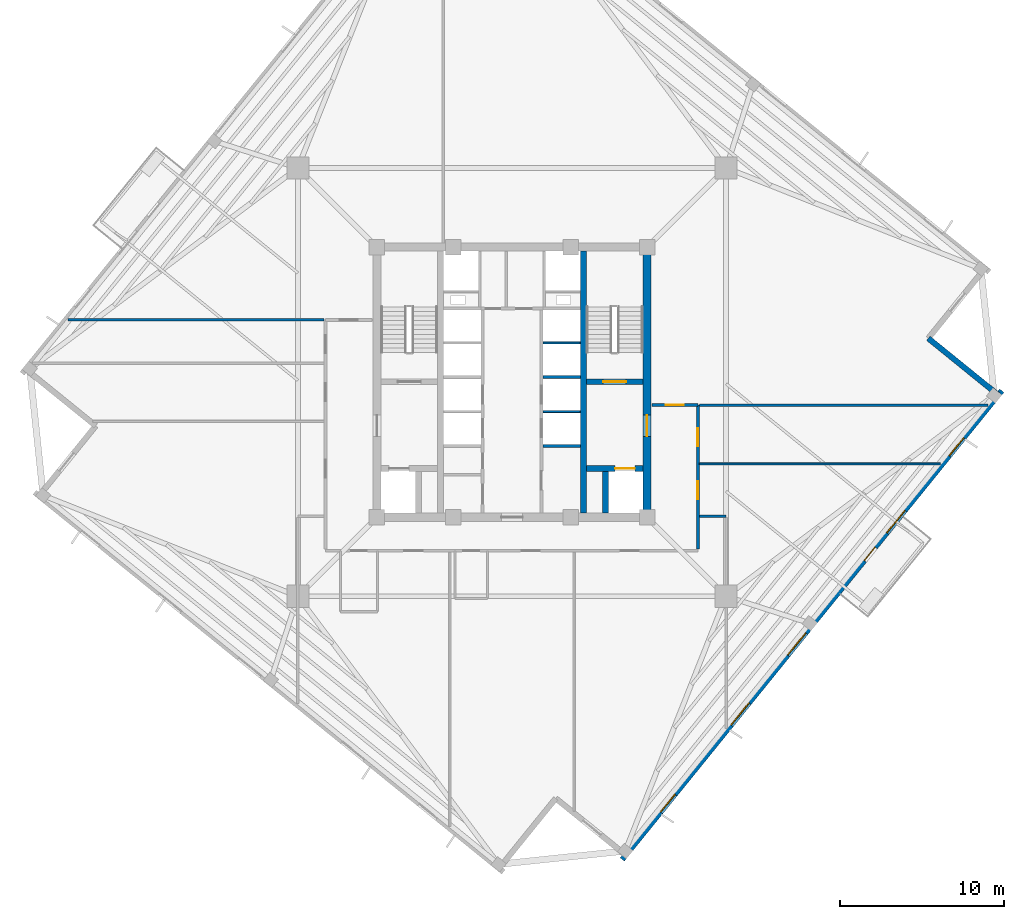
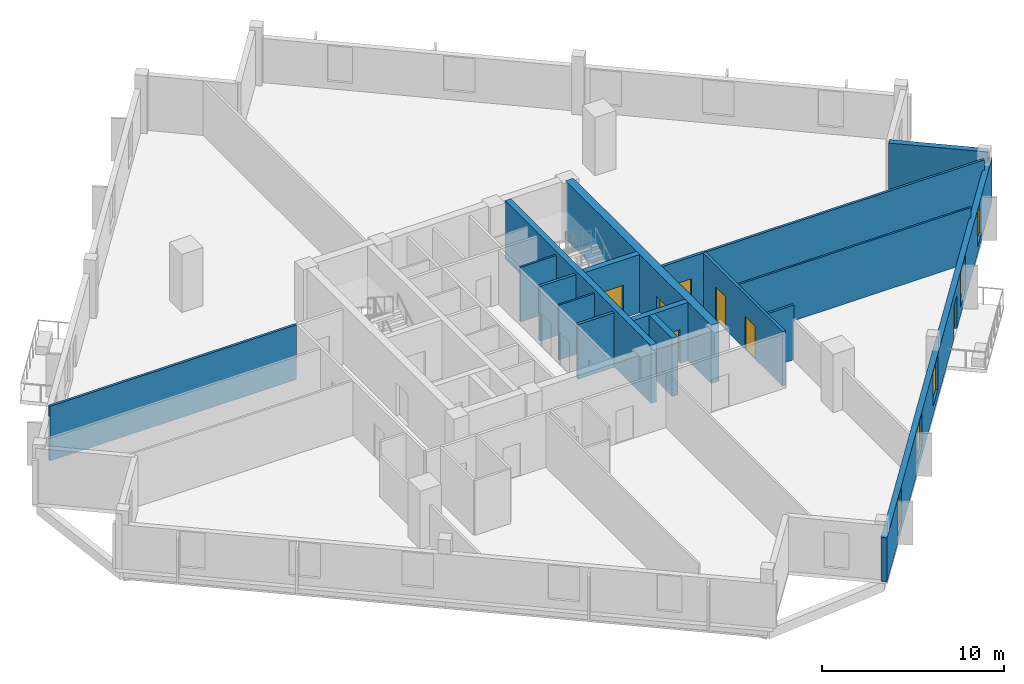
# One storey, part 4 of 9: 17 walls, 7 doors, 5 windows, 12 openings.
"""IFC4 building model written with IfcOpenShell, lengths in metres."""

from ifc_helpers import new_model, si_unit, direction, frame, frame_2d, origin, place, context, subcontext, project, spatial, rectangle, extrude, source, transform, mapped, material, layer, layer_set, type_object, element, fill, save


model = new_model("IFC4")

# Units and contexts
model_context = context("Model", 3, precision=1e-05, world=origin(), true_north=direction((0.0, 1.0)))
body_context = subcontext(model_context, "Body", "Model", "MODEL_VIEW")
ifc_project = project(units=[si_unit("LENGTHUNIT", "METRE"), si_unit("AREAUNIT", "SQUARE_METRE"), si_unit("VOLUMEUNIT", "CUBIC_METRE"), si_unit("PLANEANGLEUNIT", "RADIAN"), si_unit("MASSUNIT", "GRAM", prefix="KILO"), si_unit("THERMODYNAMICTEMPERATUREUNIT", "KELVIN")], contexts=[model_context])

# Site, building, storey
site_placement = place(None, origin())
site = spatial("IfcSite", under=ifc_project, at=site_placement, CompositionType="ELEMENT")
building_placement = place(site_placement, origin())
building = spatial("IfcBuilding", under=site, at=building_placement, Name="Kosmvard Interchange Tower", CompositionType="ELEMENT")
storey_placement = place(building_placement, frame((0.0, 0.0, 221.199951171875)))
storey = spatial("IfcBuildingStorey", under=building, at=storey_placement, Name="L53", CompositionType="ELEMENT", Elevation=221.199951171875)

# Walls
ifc_material_1 = material(Name="Acoustic gypsum partition system")
ifc_layer_1 = layer(ifc_material_1, 0.14990234375, Name="Acoustic gypsum partition system")
ifc_layer_set_1 = layer_set([ifc_layer_1], Name="Acoustic gypsum partition system")
wall_type_1 = type_object("IfcWallType", Name="Acoustic Suite & Meeting Partition 150", PredefinedType="PARTITIONING", material=ifc_layer_set_1)
wall_1_placement = place(storey_placement, frame((-27.12939453125, 3.800048828125, 0.0), z_axis=(0.0, 0.0, 1.0), x_axis=(1.0, 0.0, 0.0)))
element("IfcWall", 1, at=wall_1_placement, inside=storey, type_object=wall_type_1, Name="L53 Room Partition 03.1", PredefinedType="PARTITIONING", context=body_context, shape_type="SweptSolid", body=[
    extrude(rectangle(XDim=15.63427734375, YDim=0.14990234375, at=frame_2d((7.817138671875, 0.0))), origin(), (0.0, 0.0, 1.0), 3.66015625),
])
wall_2_placement = place(storey_placement, frame((11.445068359375, -1.39990234375, 0.0), z_axis=(0.0, 0.0, 1.0), x_axis=(1.0, 0.0, 0.0)))
element("IfcWall", 2, at=wall_2_placement, inside=storey, type_object=wall_type_1, Name="L53 Room Partition 04.1", PredefinedType="PARTITIONING", context=body_context, shape_type="SweptSolid", body=[
    extrude(rectangle(XDim=17.6279296875, YDim=0.14990234375, at=frame_2d((8.81396484375, 0.0))), origin(), (0.0, 0.0, 1.0), 3.66015625),
])
wall_3_placement = place(storey_placement, frame((11.445068359375, -8.199951171875, 0.0), z_axis=(0.0, 0.0, 1.0), x_axis=(1.0, 0.0, 0.0)))
element("IfcWall", 3, at=wall_3_placement, inside=storey, type_object=wall_type_1, Name="L53 Room Partition 10.1", PredefinedType="PARTITIONING", context=body_context, shape_type="SweptSolid", body=[
    extrude(rectangle(XDim=1.635986328125, YDim=0.14990234375, at=frame_2d((0.81787109375, 0.0))), origin(), (0.0, 0.0, 1.0), 3.66015625),
])

# Wall, openings, doors
ifc_material_2 = material(Name="Fire-rated gypsum partition system")
ifc_layer_2 = layer(ifc_material_2, 0.179931640625, Name="Fire-rated gypsum partition system")
ifc_layer_set_2 = layer_set([ifc_layer_2], Name="Fire-rated gypsum partition system")
wall_type_2 = type_object("IfcWallType", Name="Corridor & Hotel Compartment Partition 180", PredefinedType="PARTITIONING", material=ifc_layer_set_2)
wall_4_placement = place(storey_placement, frame((11.35009765625, -10.199951171875, 0.0), z_axis=(0.0, 0.0, 1.0), x_axis=(0.0, 1.0, 0.0)))
wall_4 = element("IfcWall", 4, at=wall_4_placement, inside=storey, type_object=wall_type_2, Name="L53 Corridor Wall CE", PredefinedType="PARTITIONING", context=body_context, shape_type="SweptSolid", body=[
    extrude(rectangle(XDim=8.800048828125, YDim=0.179931640625, at=frame_2d((4.39990234375, 0.0))), origin(), (0.0, 0.0, 1.0), 3.66015625),
])
opening_1_placement = place(wall_4_placement, frame((3.050048828125, 0.0, 0.0)))
opening_1 = element("IfcOpeningElement", 5, at=opening_1_placement, cuts=wall_4, Name="Opening L53-D11", PredefinedType="OPENING", context=body_context, shape_type="SweptSolid", body=[
    extrude(rectangle(XDim=1.10009765625, YDim=2.199951171875, at=frame_2d((0.550048828125, 1.10009765625))), frame((0.0, 0.10009765625, 0.0), z_axis=(0.0, -1.0, 0.0), x_axis=(1.0, 0.0, 0.0)), (0.0, 0.0, 1.0), 0.199951171875),
])
opening_2_placement = place(wall_4_placement, frame((6.28564453125, 0.0, 0.0)))
opening_2 = element("IfcOpeningElement", 6, at=opening_2_placement, cuts=wall_4, Name="Opening L53-D12", PredefinedType="OPENING", context=body_context, shape_type="SweptSolid", body=[
    extrude(rectangle(XDim=1.10009765625, YDim=2.199951171875, at=frame_2d((0.550048828125, 1.10009765625))), frame((0.0, 0.10009765625, 0.0), z_axis=(0.0, -1.0, 0.0), x_axis=(1.0, 0.0, 0.0)), (0.0, 0.0, 1.0), 0.199951171875),
])
ifc_material_3 = material(Name="Engineered oak fire-rated timber", Category="wood")
door_type_1 = type_object("IfcDoorType", Name="Office Suite Entrance Door 1100x2200 FD30S", OperationType="NOTDEFINED", PredefinedType="DOOR", material=ifc_material_3)
shared_shape_1 = source(origin(), body_context, "Body", "SweptSolid", [
    extrude(rectangle(XDim=1.10009765625, YDim=2.199951171875, at=frame_2d((0.550048828125, 1.10009765625))), frame((0.0, 0.02490234375, 0.0), z_axis=(0.0, -1.0, 0.0), x_axis=(1.0, 0.0, 0.0)), (0.0, 0.0, 1.0), 0.050048828125),
])
door_1_placement = place(opening_1_placement, frame((1.10009765625, 0.0, 0.0), z_axis=(0.0, 0.0, 1.0), x_axis=(-1.0, 0.0, 0.0)))
door_1 = element("IfcDoor", 7, at=door_1_placement, inside=storey, type_object=door_type_1, Name="L53 Wealth Director Office 1 Door", OperationType="SINGLE_SWING_LEFT", OverallHeight=2.199951171875, OverallWidth=1.10009765625, PredefinedType="DOOR", context=body_context, shape_type="MappedRepresentation", body=[
    mapped(shared_shape_1, transform((0.0, 0.0, 0.0), scale=1.0)),
])
fill(opening_1, door_1)
door_2_placement = place(opening_2_placement, frame((1.10009765625, 0.0, 0.0), z_axis=(0.0, 0.0, 1.0), x_axis=(-1.0, 0.0, 0.0)))
door_2 = element("IfcDoor", 8, at=door_2_placement, inside=storey, type_object=door_type_1, Name="L53 Private Banker Office 2 Door", OperationType="SINGLE_SWING_RIGHT", OverallHeight=2.199951171875, OverallWidth=1.10009765625, PredefinedType="DOOR", context=body_context, shape_type="MappedRepresentation", body=[
    mapped(shared_shape_1, transform((0.0, 0.0, 0.0), scale=1.0)),
])
fill(opening_2, door_2)

# Wall, opening, door
wall_5_placement = place(storey_placement, frame((8.550048828125, -1.39990234375, 0.0), z_axis=(0.0, 0.0, 1.0), x_axis=(1.0, 0.0, 0.0)))
wall_5 = element("IfcWall", 9, at=wall_5_placement, inside=storey, type_object=wall_type_2, Name="L53 Corridor Wall CNE", PredefinedType="PARTITIONING", context=body_context, shape_type="SweptSolid", body=[
    extrude(rectangle(XDim=2.800048828125, YDim=0.179931640625, at=frame_2d((1.39990234375, 0.0))), origin(), (0.0, 0.0, 1.0), 3.66015625),
])
opening_3_placement = place(wall_5_placement, frame((0.85009765625, 0.0, 0.0)))
opening_3 = element("IfcOpeningElement", 10, at=opening_3_placement, cuts=wall_5, Name="Opening L53-D05", PredefinedType="OPENING", context=body_context, shape_type="SweptSolid", body=[
    extrude(rectangle(XDim=1.10009765625, YDim=2.199951171875, at=frame_2d((0.550048828125, 1.10009765625))), frame((0.0, 0.10009765625, 0.0), z_axis=(0.0, -1.0, 0.0), x_axis=(1.0, 0.0, 0.0)), (0.0, 0.0, 1.0), 0.199951171875),
])
door_3_placement = place(opening_3_placement, origin())
door_3 = element("IfcDoor", 11, at=door_3_placement, inside=storey, type_object=door_type_1, Name="L53 North-East Private Wealth Workplace Door", OperationType="SINGLE_SWING_LEFT", OverallHeight=2.199951171875, OverallWidth=1.10009765625, PredefinedType="DOOR", context=body_context, shape_type="MappedRepresentation", body=[
    mapped(shared_shape_1, transform((0.0, 0.0, 0.0), scale=1.0)),
])
fill(opening_3, door_3)

# Wall, openings, door, windows
ifc_material_4 = material(Name="Precast concrete C45/55", Category="concrete")
ifc_layer_3 = layer(ifc_material_4, 0.340087890625, Name="Precast concrete C45/55")
ifc_layer_set_3 = layer_set([ifc_layer_3], Name="Precast concrete C45/55")
wall_type_3 = type_object("IfcWallType", Name="Mid Tower Precast Pier Wall 340 C45/55", PredefinedType="STANDARD", material=ifc_layer_set_3)
wall_6_placement = place(storey_placement, frame((6.73291015625, -29.154296875, 0.0), z_axis=(0.0, 0.0, 1.0), x_axis=(0.629325378072, 0.77714192302, 0.0)))
wall_6 = element("IfcWall", 12, at=wall_6_placement, inside=storey, type_object=wall_type_3, Name="L53 Precast Facade Wall F-S", PredefinedType="STANDARD", context=body_context, shape_type="SweptSolid", body=[
    extrude(rectangle(XDim=36.840087890625, YDim=0.340087890625, at=frame_2d((18.419921875, 0.0))), origin(), (0.0, 0.0, 1.0), 2.9599609375),
])
opening_4_placement = place(wall_6_placement, frame((23.4951171875, 0.0, 0.0)))
opening_4 = element("IfcOpeningElement", 13, at=opening_4_placement, cuts=wall_6, Name="Opening L53-BDW", PredefinedType="OPENING", context=body_context, shape_type="SweptSolid", body=[
    extrude(rectangle(XDim=1.050048828125, YDim=2.25, at=frame_2d((0.52490234375, 1.125))), frame((0.0, 0.18017578125, 0.0), z_axis=(0.0, -1.0, 0.0), x_axis=(1.0, 0.0, 0.0)), (0.0, 0.0, 1.0), 0.360107421875),
])
opening_5_placement = place(wall_6_placement, frame((3.720703125, 0.0, 0.47998046875)))
opening_5 = element("IfcOpeningElement", 14, at=opening_5_placement, cuts=wall_6, Name="Opening L53-W01", PredefinedType="OPENING", context=body_context, shape_type="SweptSolid", body=[
    extrude(rectangle(XDim=1.39990234375, YDim=2.39990234375, at=frame_2d((0.699951171875, 1.199951171875))), frame((0.0, 0.18017578125, 0.0), z_axis=(0.0, -1.0, 0.0), x_axis=(1.0, 0.0, 0.0)), (0.0, 0.0, 1.0), 0.360107421875),
])
opening_6_placement = place(wall_6_placement, frame((10.55859375, 0.0, 0.580078125)))
opening_6 = element("IfcOpeningElement", 15, at=opening_6_placement, cuts=wall_6, Name="Opening L53-W02", PredefinedType="OPENING", context=body_context, shape_type="SweptSolid", body=[
    extrude(rectangle(XDim=1.75, YDim=2.300048828125, at=frame_2d((0.875, 1.14990234375))), frame((0.0, 0.18017578125, 0.0), z_axis=(0.0, -1.0, 0.0), x_axis=(1.0, 0.0, 0.0)), (0.0, 0.0, 1.0), 0.360107421875),
])
opening_7_placement = place(wall_6_placement, frame((16.05810546875, 0.0, 0.580078125)))
opening_7 = element("IfcOpeningElement", 16, at=opening_7_placement, cuts=wall_6, Name="Opening L53-W03", PredefinedType="OPENING", context=body_context, shape_type="SweptSolid", body=[
    extrude(rectangle(XDim=1.75, YDim=2.300048828125, at=frame_2d((0.875, 1.14990234375))), frame((0.0, 0.18017578125, 0.0), z_axis=(0.0, -1.0, 0.0), x_axis=(1.0, 0.0, 0.0)), (0.0, 0.0, 1.0), 0.360107421875),
])
opening_8_placement = place(wall_6_placement, frame((25.67626953125, 0.0, 0.580078125)))
opening_8 = element("IfcOpeningElement", 17, at=opening_8_placement, cuts=wall_6, Name="Opening L53-W04", PredefinedType="OPENING", context=body_context, shape_type="SweptSolid", body=[
    extrude(rectangle(XDim=1.75, YDim=2.300048828125, at=frame_2d((0.875, 1.14990234375))), frame((0.0, 0.18017578125, 0.0), z_axis=(0.0, -1.0, 0.0), x_axis=(1.0, 0.0, 0.0)), (0.0, 0.0, 1.0), 0.360107421875),
])
opening_9_placement = place(wall_6_placement, frame((31.732421875, 0.0, 0.47998046875)))
opening_9 = element("IfcOpeningElement", 18, at=opening_9_placement, cuts=wall_6, Name="Opening L53-W05", PredefinedType="OPENING", context=body_context, shape_type="SweptSolid", body=[
    extrude(rectangle(XDim=1.39990234375, YDim=2.39990234375, at=frame_2d((0.699951171875, 1.199951171875))), frame((0.0, 0.18017578125, 0.0), z_axis=(0.0, -1.0, 0.0), x_axis=(1.0, 0.0, 0.0)), (0.0, 0.0, 1.0), 0.360107421875),
])
ifc_material_5 = material(Name="Anodised aluminium and safety glass", Category="aluminium")
door_type_2 = type_object("IfcDoorType", Name="Tree-Balcony Glazed Door 1050x2250", OperationType="NOTDEFINED", PredefinedType="DOOR", material=ifc_material_5)
shared_shape_2 = source(origin(), body_context, "Body", "SweptSolid", [
    extrude(rectangle(XDim=1.050048828125, YDim=2.25, at=frame_2d((0.52490234375, 1.125))), frame((0.0, 0.02490234375, 0.0), z_axis=(0.0, -1.0, 0.0), x_axis=(1.0, 0.0, 0.0)), (0.0, 0.0, 1.0), 0.050048828125),
])
door_4_placement = place(opening_4_placement, origin())
door_4 = element("IfcDoor", 19, at=door_4_placement, inside=storey, type_object=door_type_2, Name="L53 Tree-Balcony Door BAL-L53-SW", OperationType="SINGLE_SWING_RIGHT", OverallHeight=2.25, OverallWidth=1.050048828125, PredefinedType="DOOR", context=body_context, shape_type="MappedRepresentation", body=[
    mapped(shared_shape_2, transform((0.0, 0.0, 0.0), scale=1.0)),
])
fill(opening_4, door_4)
ifc_material_6 = material(Name="Low-E solar-control double glazing", Category="glass")
window_type_1 = type_object("IfcWindowType", Name="Notched Corner Feature Window 1400x2400", PartitioningType="SINGLE_PANEL", PredefinedType="WINDOW", material=ifc_material_6)
shared_shape_3 = source(origin(), body_context, "Body", "SweptSolid", [
    extrude(rectangle(XDim=1.39990234375, YDim=2.39990234375, at=frame_2d((0.699951171875, 1.199951171875))), frame((0.0, 0.030029296875, 0.0), z_axis=(0.0, -1.0, 0.0), x_axis=(1.0, 0.0, 0.0)), (0.0, 0.0, 1.0), 0.06005859375),
])
window_1_placement = place(opening_5_placement, origin())
window_1 = element("IfcWindow", 20, at=window_1_placement, inside=storey, type_object=window_type_1, Name="L53 Facade Punched Window 01", OverallHeight=2.39990234375, OverallWidth=1.39990234375, PartitioningType="SINGLE_PANEL", PredefinedType="WINDOW", context=body_context, shape_type="MappedRepresentation", body=[
    mapped(shared_shape_3, transform((0.0, 0.0, 0.0), scale=1.0)),
])
fill(opening_5, window_1)
window_2_placement = place(opening_9_placement, origin())
window_2 = element("IfcWindow", 21, at=window_2_placement, inside=storey, type_object=window_type_1, Name="L53 Facade Punched Window 05", OverallHeight=2.39990234375, OverallWidth=1.39990234375, PartitioningType="SINGLE_PANEL", PredefinedType="WINDOW", context=body_context, shape_type="MappedRepresentation", body=[
    mapped(shared_shape_3, transform((0.0, 0.0, 0.0), scale=1.0)),
])
fill(opening_9, window_2)
window_type_2 = type_object("IfcWindowType", Name="Zone 4 Suite Punched Window 1750x2300", PartitioningType="SINGLE_PANEL", PredefinedType="WINDOW", material=ifc_material_6)
shared_shape_4 = source(origin(), body_context, "Body", "SweptSolid", [
    extrude(rectangle(XDim=1.75, YDim=2.300048828125, at=frame_2d((0.875, 1.14990234375))), frame((0.0, 0.030029296875, 0.0), z_axis=(0.0, -1.0, 0.0), x_axis=(1.0, 0.0, 0.0)), (0.0, 0.0, 1.0), 0.06005859375),
])
window_3_placement = place(opening_6_placement, origin())
window_3 = element("IfcWindow", 22, at=window_3_placement, inside=storey, type_object=window_type_2, Name="L53 Facade Punched Window 02", OverallHeight=2.300048828125, OverallWidth=1.75, PartitioningType="SINGLE_PANEL", PredefinedType="WINDOW", context=body_context, shape_type="MappedRepresentation", body=[
    mapped(shared_shape_4, transform((0.0, 0.0, 0.0), scale=1.0)),
])
fill(opening_6, window_3)
window_4_placement = place(opening_7_placement, origin())
window_4 = element("IfcWindow", 23, at=window_4_placement, inside=storey, type_object=window_type_2, Name="L53 Facade Punched Window 03", OverallHeight=2.300048828125, OverallWidth=1.75, PartitioningType="SINGLE_PANEL", PredefinedType="WINDOW", context=body_context, shape_type="MappedRepresentation", body=[
    mapped(shared_shape_4, transform((0.0, 0.0, 0.0), scale=1.0)),
])
fill(opening_7, window_4)
window_5_placement = place(opening_8_placement, origin())
window_5 = element("IfcWindow", 24, at=window_5_placement, inside=storey, type_object=window_type_2, Name="L53 Facade Punched Window 04", OverallHeight=2.300048828125, OverallWidth=1.75, PartitioningType="SINGLE_PANEL", PredefinedType="WINDOW", context=body_context, shape_type="MappedRepresentation", body=[
    mapped(shared_shape_4, transform((0.0, 0.0, 0.0), scale=1.0)),
])
fill(opening_8, window_5)

# Walls
wall_7_placement = place(storey_placement, frame((29.703125, -0.78857421875, 0.0), z_axis=(0.0, 0.0, 1.0), x_axis=(-0.77714355312, 0.629323365087, 0.0)))
element("IfcWall", 25, at=wall_7_placement, inside=storey, type_object=wall_type_3, Name="L53 Precast Facade Wall N-SE1", PredefinedType="STANDARD", context=body_context, shape_type="SweptSolid", body=[
    extrude(rectangle(XDim=5.499755859375, YDim=0.340087890625, at=frame_2d((2.75, 0.0))), origin(), (0.0, 0.0, 1.0), 3.66015625),
])
ifc_material_7 = material(Name="Gypsum board partition system")
ifc_layer_4 = layer(ifc_material_7, 0.1201171875, Name="Gypsum board partition system")
ifc_layer_set_4 = layer_set([ifc_layer_4], Name="Gypsum board partition system")
wall_type_4 = type_object("IfcWallType", Name="Office Cellular Partition 120", PredefinedType="PARTITIONING", material=ifc_layer_set_4)
wall_8_placement = place(storey_placement, frame((11.445068359375, -5.0, 0.0), z_axis=(0.0, 0.0, 1.0), x_axis=(1.0, 0.0, 0.0)))
element("IfcWall", 26, at=wall_8_placement, inside=storey, type_object=wall_type_4, Name="L53 Room Partition 12.1", PredefinedType="PARTITIONING", context=body_context, shape_type="SweptSolid", body=[
    extrude(rectangle(XDim=14.712646484375, YDim=0.1201171875, at=frame_2d((7.3564453125, 0.0))), origin(), (0.0, 0.0, 1.0), 3.66015625),
])
ifc_material_8 = material(Name="Concrete blockwork masonry", Category="masonry")
ifc_layer_5 = layer(ifc_material_8, 0.179931640625, Name="Concrete blockwork masonry")
ifc_layer_set_5 = layer_set([ifc_layer_5], Name="Concrete blockwork masonry")
wall_type_5 = type_object("IfcWallType", Name="Riser & Lift Bank Divider Wall 180", PredefinedType="PARTITIONING", material=ifc_layer_set_5)
for number, where, z_axis, x_axis, name in (
    (27, (1.889892578125, -3.89990234375, 0.0), (0.0, 0.0, 1.0), (1.0, 0.0, 0.0), "L53 East Bank Divider BD1"),
    (28, (1.889892578125, 0.300048828125, 0.0), (0.0, 0.0, 1.0), (1.0, 0.0, 0.0), "L53 East Bank Divider BD2"),
):
    element("IfcWall", number, at=place(storey_placement, frame(where, z_axis=z_axis, x_axis=x_axis)), inside=storey, type_object=wall_type_5, Name=name, PredefinedType="PARTITIONING", context=body_context, shape_type="SweptSolid", body=[
        extrude(rectangle(XDim=2.280029296875, YDim=0.179931640625, at=frame_2d((1.14013671875, 0.0))), origin(), (0.0, 0.0, 1.0), 3.66015625),
    ])
ifc_material_9 = material(Name="Fire-rated gypsum shaftwall system")
ifc_layer_6 = layer(ifc_material_9, 0.1201171875, Name="Fire-rated gypsum shaftwall system")
ifc_layer_set_6 = layer_set([ifc_layer_6], Name="Fire-rated gypsum shaftwall system")
wall_type_6 = type_object("IfcWallType", Name="Shaft & Riser Fire Partition 120 EI60", PredefinedType="PARTITIONING", material=ifc_layer_set_6)
for number, where, z_axis, x_axis, name in (
    (29, (1.89990234375, -1.800048828125, 0.0), (0.0, 0.0, 1.0), (1.0, 0.0, 0.0), "L53 Shaft Divider PL-M3"),
    (30, (1.89990234375, 2.39990234375, 0.0), (0.0, 0.0, 1.0), (1.0, 0.0, 0.0), "L53 Shaft Divider PL-H3"),
):
    element("IfcWall", number, at=place(storey_placement, frame(where, z_axis=z_axis, x_axis=x_axis)), inside=storey, type_object=wall_type_6, Name=name, PredefinedType="PARTITIONING", context=body_context, shape_type="SweptSolid", body=[
        extrude(rectangle(XDim=2.260009765625, YDim=0.1201171875, at=frame_2d((1.1298828125, 0.0))), origin(), (0.0, 0.0, 1.0), 3.66015625),
    ])
ifc_material_10 = material(Name="Concrete C60/75", Category="concrete")
ifc_layer_7 = layer(ifc_material_10, 0.360107421875, Name="Concrete C60/75")
ifc_layer_set_7 = layer_set([ifc_layer_7], Name="Concrete C60/75")
wall_type_7 = type_object("IfcWallType", Name="Stair & Lift Shaft Shear Wall 360 C60/75", PredefinedType="SHEAR", material=ifc_layer_set_7)
wall_9_placement = place(storey_placement, frame((4.360107421875, -8.0, 0.0), z_axis=(0.0, 0.0, 1.0), x_axis=(0.0, 1.0, 0.0)))
element("IfcWall", 31, at=wall_9_placement, inside=storey, type_object=wall_type_7, Name="L53 Shaft Shear Wall SW-E", PredefinedType="SHEAR", context=body_context, shape_type="SweptSolid", body=[
    extrude(rectangle(XDim=16.0, YDim=0.360107421875, at=frame_2d((8.0, 0.0))), origin(), (0.0, 0.0, 1.0), 3.900146484375),
])

# Wall, opening, door
wall_10_placement = place(storey_placement, frame((4.5400390625, 0.02001953125, 0.0), z_axis=(0.0, 0.0, 1.0), x_axis=(1.0, 0.0, 0.0)))
wall_10 = element("IfcWall", 32, at=wall_10_placement, inside=storey, type_object=wall_type_7, Name="L53 Shaft Shear Wall SW-ST2", PredefinedType="SHEAR", context=body_context, shape_type="SweptSolid", body=[
    extrude(rectangle(XDim=3.4599609375, YDim=0.360107421875, at=frame_2d((1.72998046875, 0.0))), origin(), (0.0, 0.0, 1.0), 3.900146484375),
])
opening_10_placement = place(wall_10_placement, frame((1.030029296875, 0.0, 0.0)))
opening_10 = element("IfcOpeningElement", 33, at=opening_10_placement, cuts=wall_10, Name="Opening L53-SD2", PredefinedType="OPENING", context=body_context, shape_type="SweptSolid", body=[
    extrude(rectangle(XDim=1.39990234375, YDim=2.199951171875, at=frame_2d((0.699951171875, 1.10009765625))), frame((0.0, 0.18994140625, 0.0), z_axis=(0.0, -1.0, 0.0), x_axis=(1.0, 0.0, 0.0)), (0.0, 0.0, 1.0), 0.380126953125),
])
ifc_material_11 = material(Name="Painted fire-rated steel leaf", Category="steel")
door_type_3 = type_object("IfcDoorType", Name="Protected Stair Door 1400x2200 FD60S", OperationType="NOTDEFINED", PredefinedType="DOOR", material=ifc_material_11)
shared_shape_5 = source(origin(), body_context, "Body", "SweptSolid", [
    extrude(rectangle(XDim=1.39990234375, YDim=2.199951171875, at=frame_2d((0.699951171875, 1.10009765625))), frame((0.0, 0.02490234375, 0.0), z_axis=(0.0, -1.0, 0.0), x_axis=(1.0, 0.0, 0.0)), (0.0, 0.0, 1.0), 0.050048828125),
])
door_5_placement = place(opening_10_placement, origin())
door_5 = element("IfcDoor", 34, at=door_5_placement, inside=storey, type_object=door_type_3, Name="L53 Stair ST-2 Enclosure Door", OperationType="SINGLE_SWING_RIGHT", OverallHeight=2.199951171875, OverallWidth=1.39990234375, PredefinedType="DOOR", context=body_context, shape_type="MappedRepresentation", body=[
    mapped(shared_shape_5, transform((0.0, 0.0, 0.0), scale=1.0)),
])
fill(opening_10, door_5)

wall_11_placement = place(storey_placement, frame((4.5400390625, -5.280029296875, 0.0), z_axis=(0.0, 0.0, 1.0), x_axis=(1.0, 0.0, 0.0)))
wall_11 = element("IfcWall", 35, at=wall_11_placement, inside=storey, type_object=wall_type_7, Name="L53 Shaft Shear Wall SW-FF2", PredefinedType="SHEAR", context=body_context, shape_type="SweptSolid", body=[
    extrude(rectangle(XDim=3.4599609375, YDim=0.360107421875, at=frame_2d((1.72998046875, 0.0))), origin(), (0.0, 0.0, 1.0), 3.900146484375),
])
opening_11_placement = place(wall_11_placement, frame((1.760009765625, 0.0, 0.0)))
opening_11 = element("IfcOpeningElement", 36, at=opening_11_placement, cuts=wall_11, Name="Opening LD-FF-2-L53", PredefinedType="OPENING", context=body_context, shape_type="SweptSolid", body=[
    extrude(rectangle(XDim=1.199951171875, YDim=2.25, at=frame_2d((0.60009765625, 1.125))), frame((0.0, 0.18994140625, 0.0), z_axis=(0.0, -1.0, 0.0), x_axis=(1.0, 0.0, 0.0)), (0.0, 0.0, 1.0), 0.380126953125),
])
ifc_material_12 = material(Name="Brushed stainless steel sliding leaf", Category="steel")
door_type_4 = type_object("IfcDoorType", Name="Firefighting Lift Sliding Landing Door 1200x2250 EI120", OperationType="DOUBLE_DOOR_SLIDING", PredefinedType="DOOR", material=ifc_material_12)
shared_shape_6 = source(origin(), body_context, "Body", "SweptSolid", [
    extrude(rectangle(XDim=1.199951171875, YDim=2.25, at=frame_2d((0.60009765625, 1.125))), frame((0.0, 0.02490234375, 0.0), z_axis=(0.0, -1.0, 0.0), x_axis=(1.0, 0.0, 0.0)), (0.0, 0.0, 1.0), 0.050048828125),
])
door_6_placement = place(opening_11_placement, origin())
door_6 = element("IfcDoor", 37, at=door_6_placement, inside=storey, type_object=door_type_4, Name="Lift FF-2 Landing Door L53", OperationType="DOUBLE_DOOR_SLIDING", OverallHeight=2.25, OverallWidth=1.199951171875, PredefinedType="DOOR", context=body_context, shape_type="MappedRepresentation", body=[
    mapped(shared_shape_6, transform((0.0, 0.0, 0.0), scale=1.0)),
])
fill(opening_11, door_6)

# Wall
wall_12_placement = place(storey_placement, frame((5.7099609375, -8.0, 0.0), z_axis=(0.0, 0.0, 1.0), x_axis=(0.0, 1.0, 0.0)))
element("IfcWall", 38, at=wall_12_placement, inside=storey, type_object=wall_type_7, Name="L53 Shaft Shear Wall SW-SM2", PredefinedType="SHEAR", context=body_context, shape_type="SweptSolid", body=[
    extrude(rectangle(XDim=2.5400390625, YDim=0.360107421875, at=frame_2d((1.27001953125, 0.0))), origin(), (0.0, 0.0, 1.0), 3.900146484375),
])

# Wall, opening, door
ifc_layer_8 = layer(ifc_material_10, 0.5, Name="Concrete C60/75")
ifc_layer_set_8 = layer_set([ifc_layer_8], Name="Concrete C60/75")
wall_type_8 = type_object("IfcWallType", Name="Upper Core Shear Wall 500 C60/75", PredefinedType="SHEAR", material=ifc_layer_set_8)
wall_13_placement = place(storey_placement, frame((8.25, -8.0, 0.0), z_axis=(0.0, 0.0, 1.0), x_axis=(0.0, 1.0, 0.0)))
wall_13 = element("IfcWall", 39, at=wall_13_placement, inside=storey, type_object=wall_type_8, Name="L53 Core Shear Wall CW-E", PredefinedType="SHEAR", context=body_context, shape_type="SweptSolid", body=[
    extrude(rectangle(XDim=16.0, YDim=0.5, at=frame_2d((8.0, 0.0))), origin(), (0.0, 0.0, 1.0), 3.900146484375),
])
opening_12_placement = place(wall_13_placement, frame((4.68994140625, 0.0, 0.0)))
opening_12 = element("IfcOpeningElement", 40, at=opening_12_placement, cuts=wall_13, Name="Opening L53-FD2", PredefinedType="OPENING", context=body_context, shape_type="SweptSolid", body=[
    extrude(rectangle(XDim=1.300048828125, YDim=2.199951171875, at=frame_2d((0.64990234375, 1.10009765625))), frame((0.0, 0.260009765625, 0.0), z_axis=(0.0, -1.0, 0.0), x_axis=(1.0, 0.0, 0.0)), (0.0, 0.0, 1.0), 0.52001953125),
])
door_type_5 = type_object("IfcDoorType", Name="Firefighting Lobby Door 1300x2200 EI60", OperationType="NOTDEFINED", PredefinedType="DOOR", material=ifc_material_11)
shared_shape_7 = source(origin(), body_context, "Body", "SweptSolid", [
    extrude(rectangle(XDim=1.300048828125, YDim=2.199951171875, at=frame_2d((0.64990234375, 1.10009765625))), frame((0.0, 0.02490234375, 0.0), z_axis=(0.0, -1.0, 0.0), x_axis=(1.0, 0.0, 0.0)), (0.0, 0.0, 1.0), 0.050048828125),
])
door_7_placement = place(opening_12_placement, origin())
door_7 = element("IfcDoor", 41, at=door_7_placement, inside=storey, type_object=door_type_5, Name="L53 Firefighting Lobby East Door", OperationType="SINGLE_SWING_RIGHT", OverallHeight=2.199951171875, OverallWidth=1.300048828125, PredefinedType="DOOR", context=body_context, shape_type="MappedRepresentation", body=[
    mapped(shared_shape_7, transform((0.0, 0.0, 0.0), scale=1.0)),
])
fill(opening_12, door_7)

save(model, "model.ifc")
